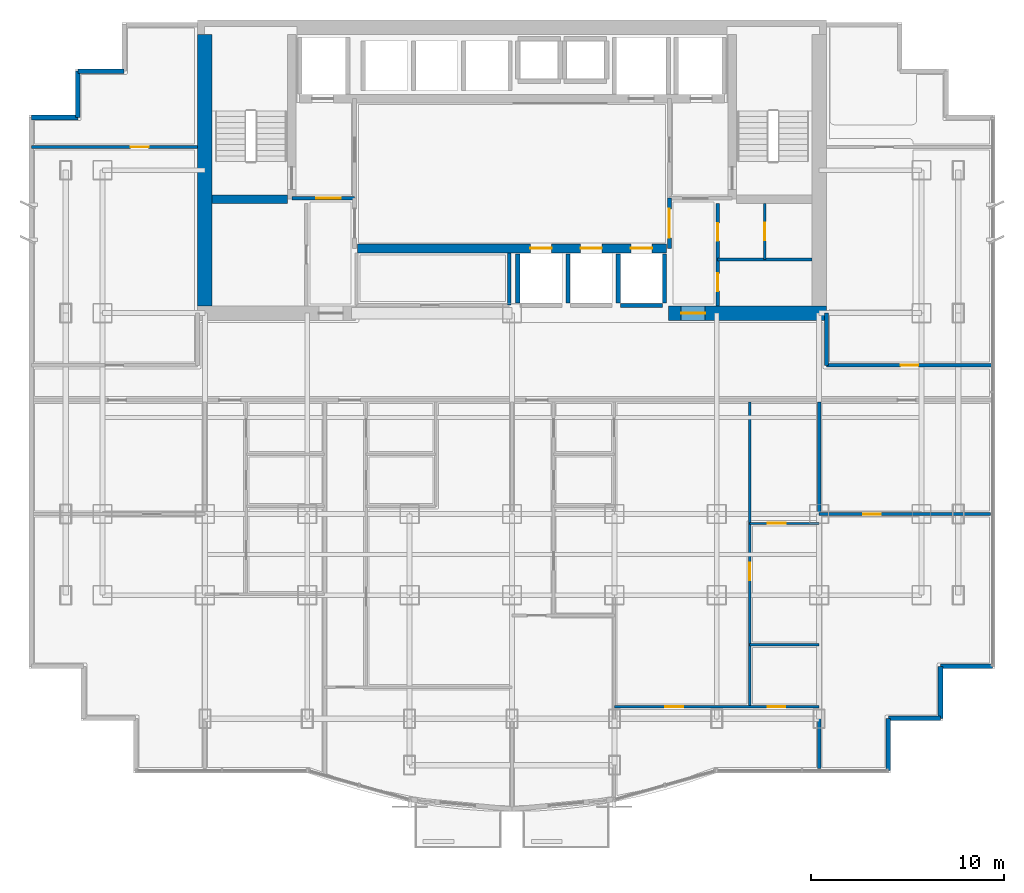
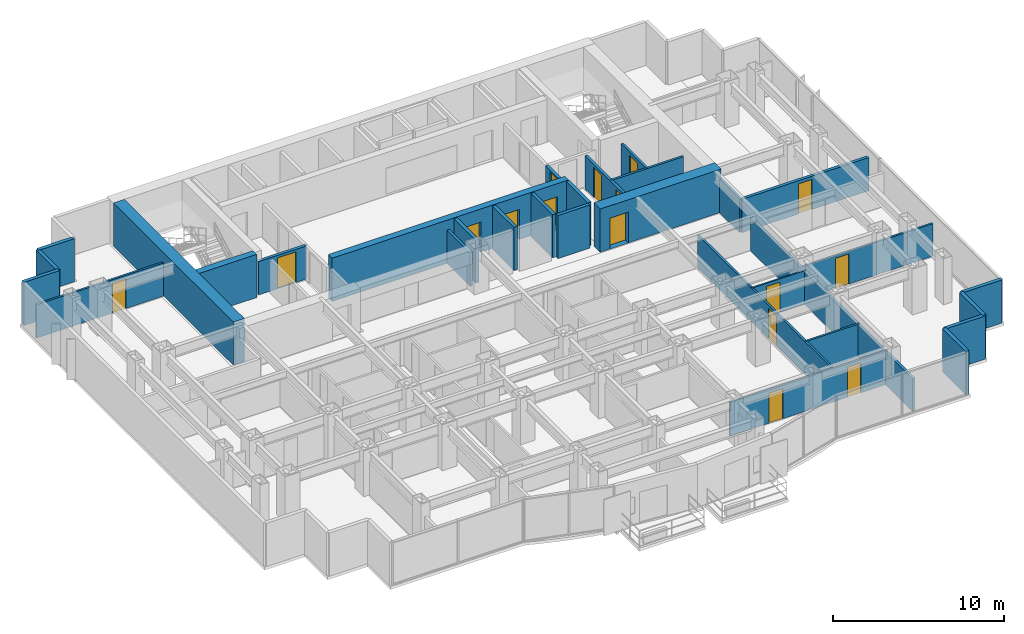
# One storey, part 8 of 12: 31 walls, 16 doors, 16 openings.
"""IFC4 building model written with IfcOpenShell, lengths in metres."""

from ifc_helpers import new_model, si_unit, direction, frame, frame_2d, origin, place, context, subcontext, project, spatial, rectangle, extrude, material, layer, layer_set, type_object, element, fill, save


model = new_model("IFC4")

# Units and contexts
model_context = context("Model", 3, precision=1e-05, world=origin(), true_north=direction((0.0, 1.0)))
body_context = subcontext(model_context, "Body", "Model", "MODEL_VIEW")
ifc_project = project(units=[si_unit("LENGTHUNIT", "METRE"), si_unit("AREAUNIT", "SQUARE_METRE"), si_unit("VOLUMEUNIT", "CUBIC_METRE"), si_unit("PLANEANGLEUNIT", "RADIAN"), si_unit("MASSUNIT", "GRAM", prefix="KILO")], contexts=[model_context])

# Site, building, storey
site_placement = place(None, origin())
site = spatial("IfcSite", under=ifc_project, at=site_placement, CompositionType="ELEMENT")
building_placement = place(site_placement, origin())
building = spatial("IfcBuilding", under=site, at=building_placement, Name="Qianlan Lanfeng Residences", CompositionType="ELEMENT")
storey_placement = place(building_placement, frame((0.0, 0.0, 85.0)))
storey = spatial("IfcBuildingStorey", under=building, at=storey_placement, Name="L22", CompositionType="ELEMENT", Elevation=85.0)

# Wall
ifc_material_1 = material(Name="Concrete C60", Category="concrete")
ifc_layer_1 = layer(ifc_material_1, 0.449951171875)
ifc_layer_set_1 = layer_set([ifc_layer_1], Name="Concrete C60")
wall_type_1 = type_object("IfcWallType", Name="CW-RC-450", PredefinedType="SHEAR", material=ifc_layer_set_1)
wall_1_placement = place(storey_placement, frame((10.97509765625, 31.10009765625, 0.0), z_axis=(0.0, 0.0, 1.0), x_axis=(1.0, 0.0, 0.0)))
element("IfcWall", 1, at=wall_1_placement, inside=storey, type_object=wall_type_1, Name="L22 Core Shear Wall ST1S", PredefinedType="SHEAR", context=body_context, shape_type="SweptSolid", body=[
    extrude(rectangle(XDim=3.89990234375, YDim=0.449951171875, at=frame_2d((1.949951171875, 0.0))), origin(), (0.0, 0.0, 1.0), 3.090087890625),
])

# Wall, openings, doors
wall_2_placement = place(storey_placement, frame((18.5, 28.550048828125, 0.0), z_axis=(0.0, 0.0, 1.0), x_axis=(1.0, 0.0, 0.0)))
wall_2 = element("IfcWall", 2, at=wall_2_placement, inside=storey, type_object=wall_type_1, Name="L22 Core Shear Wall LBS", PredefinedType="SHEAR", context=body_context, shape_type="SweptSolid", body=[
    extrude(rectangle(XDim=16.0, YDim=0.449951171875, at=frame_2d((8.0, 0.0))), origin(), (0.0, 0.0, 1.0), 3.090087890625),
])
opening_1_placement = place(wall_2_placement, frame((8.949951171875, 0.0, 0.0)))
opening_1 = element("IfcOpeningElement", 3, at=opening_1_placement, cuts=wall_2, Name="Opening L22-LD-PL-M1", PredefinedType="OPENING", context=body_context, shape_type="SweptSolid", body=[
    extrude(rectangle(XDim=1.10009765625, YDim=2.14990234375, at=frame_2d((0.550048828125, 1.074951171875))), frame((0.0, 0.23486328125, 0.0), z_axis=(0.0, -1.0, 0.0), x_axis=(1.0, 0.0, 0.0)), (0.0, 0.0, 1.0), 0.469970703125),
])
opening_2_placement = place(wall_2_placement, frame((11.550048828125, 0.0, 0.0)))
opening_2 = element("IfcOpeningElement", 4, at=opening_2_placement, cuts=wall_2, Name="Opening L22-LD-PL-M2", PredefinedType="OPENING", context=body_context, shape_type="SweptSolid", body=[
    extrude(rectangle(XDim=1.10009765625, YDim=2.14990234375, at=frame_2d((0.550048828125, 1.074951171875))), frame((0.0, 0.23486328125, 0.0), z_axis=(0.0, -1.0, 0.0), x_axis=(1.0, 0.0, 0.0)), (0.0, 0.0, 1.0), 0.469970703125),
])
opening_3_placement = place(wall_2_placement, frame((14.14990234375, 0.0, 0.0)))
opening_3 = element("IfcOpeningElement", 5, at=opening_3_placement, cuts=wall_2, Name="Opening L22-LD-PL-M3", PredefinedType="OPENING", context=body_context, shape_type="SweptSolid", body=[
    extrude(rectangle(XDim=1.10009765625, YDim=2.14990234375, at=frame_2d((0.550048828125, 1.074951171875))), frame((0.0, 0.23486328125, 0.0), z_axis=(0.0, -1.0, 0.0), x_axis=(1.0, 0.0, 0.0)), (0.0, 0.0, 1.0), 0.469970703125),
])
ifc_material_2 = material(Name="Brushed Stainless Steel Sliding Lift Door", Category="steel")
door_type_1 = type_object("IfcDoorType", Name="LD-01", OperationType="NOTDEFINED", PredefinedType="DOOR", material=ifc_material_2)
door_1_placement = place(opening_1_placement, origin())
door_1 = element("IfcDoor", 6, at=door_1_placement, inside=storey, type_object=door_type_1, Name="L22 Elevator PL-M1 Sliding Landing Door", OperationType="DOUBLE_DOOR_SLIDING", OverallHeight=2.14990234375, OverallWidth=1.10009765625, PredefinedType="DOOR", context=body_context, shape_type="SweptSolid", body=[
    extrude(rectangle(XDim=1.10009765625, YDim=2.14990234375, at=frame_2d((0.550048828125, 1.074951171875))), frame((0.0, 0.02490234375, 0.0), z_axis=(0.0, -1.0, 0.0), x_axis=(1.0, 0.0, 0.0)), (0.0, 0.0, 1.0), 0.050048828125),
])
fill(opening_1, door_1)
door_2_placement = place(opening_2_placement, origin())
door_2 = element("IfcDoor", 7, at=door_2_placement, inside=storey, type_object=door_type_1, Name="L22 Elevator PL-M2 Sliding Landing Door", OperationType="DOUBLE_DOOR_SLIDING", OverallHeight=2.14990234375, OverallWidth=1.10009765625, PredefinedType="DOOR", context=body_context, shape_type="SweptSolid", body=[
    extrude(rectangle(XDim=1.10009765625, YDim=2.14990234375, at=frame_2d((0.550048828125, 1.074951171875))), frame((0.0, 0.02490234375, 0.0), z_axis=(0.0, -1.0, 0.0), x_axis=(1.0, 0.0, 0.0)), (0.0, 0.0, 1.0), 0.050048828125),
])
fill(opening_2, door_2)
door_3_placement = place(opening_3_placement, origin())
door_3 = element("IfcDoor", 8, at=door_3_placement, inside=storey, type_object=door_type_1, Name="L22 Elevator PL-M3 Sliding Landing Door", OperationType="DOUBLE_DOOR_SLIDING", OverallHeight=2.14990234375, OverallWidth=1.10009765625, PredefinedType="DOOR", context=body_context, shape_type="SweptSolid", body=[
    extrude(rectangle(XDim=1.10009765625, YDim=2.14990234375, at=frame_2d((0.550048828125, 1.074951171875))), frame((0.0, 0.02490234375, 0.0), z_axis=(0.0, -1.0, 0.0), x_axis=(1.0, 0.0, 0.0)), (0.0, 0.0, 1.0), 0.050048828125),
])
fill(opening_3, door_3)

# Wall
ifc_layer_2 = layer(ifc_material_1, 0.75)
ifc_layer_set_2 = layer_set([ifc_layer_2], Name="Concrete C60")
wall_type_2 = type_object("IfcWallType", Name="CW-RC-750", PredefinedType="SHEAR", material=ifc_layer_set_2)
wall_3_placement = place(storey_placement, frame((10.60009765625, 25.574951171875, 0.0), z_axis=(0.0, 0.0, 1.0), x_axis=(0.0, 1.0, 0.0)))
element("IfcWall", 9, at=wall_3_placement, inside=storey, type_object=wall_type_2, Name="L22 Core Shear Wall W", PredefinedType="SHEAR", context=body_context, shape_type="SweptSolid", body=[
    extrude(rectangle(XDim=14.050048828125, YDim=0.75, at=frame_2d((7.02490234375, 0.0))), origin(), (0.0, 0.0, 1.0), 3.090087890625),
])

# Wall, opening, door
wall_4_placement = place(storey_placement, frame((34.60009765625, 25.199951171875, 0.0), z_axis=(0.0, 0.0, 1.0), x_axis=(1.0, 0.0, 0.0)))
wall_4 = element("IfcWall", 10, at=wall_4_placement, inside=storey, type_object=wall_type_2, Name="L22 Core Shear Wall SE", PredefinedType="SHEAR", context=body_context, shape_type="SweptSolid", body=[
    extrude(rectangle(XDim=8.1748046875, YDim=0.75, at=frame_2d((4.08740234375, 0.0))), origin(), (0.0, 0.0, 1.0), 3.090087890625),
])
opening_4_placement = place(wall_4_placement, frame((0.64990234375, 0.0, 0.0)))
opening_4 = element("IfcOpeningElement", 11, at=opening_4_placement, cuts=wall_4, Name="Opening L22-D02", PredefinedType="OPENING", context=body_context, shape_type="SweptSolid", body=[
    extrude(rectangle(XDim=1.25, YDim=2.199951171875, at=frame_2d((0.625, 1.10009765625))), frame((0.0, 0.385009765625, 0.0), z_axis=(0.0, -1.0, 0.0), x_axis=(1.0, 0.0, 0.0)), (0.0, 0.0, 1.0), 0.77001953125),
])
ifc_material_3 = material(Name="Painted Galvanised Steel Fire Door", Category="steel")
door_type_2 = type_object("IfcDoorType", Name="DT-FFL", OperationType="NOTDEFINED", PredefinedType="DOOR", material=ifc_material_3)
door_4_placement = place(opening_4_placement, frame((1.25, 0.0, 0.0), z_axis=(0.0, 0.0, 1.0), x_axis=(-1.0, 0.0, 0.0)))
door_4 = element("IfcDoor", 12, at=door_4_placement, inside=storey, type_object=door_type_2, Name="L22 East Core Lobby Smoke Door L22-D02 (DT-FFL)", OperationType="SINGLE_SWING_LEFT", OverallHeight=2.199951171875, OverallWidth=1.25, PredefinedType="DOOR", context=body_context, shape_type="SweptSolid", body=[
    extrude(rectangle(XDim=1.25, YDim=2.199951171875, at=frame_2d((0.625, 1.10009765625))), frame((0.0, 0.02490234375, 0.0), z_axis=(0.0, -1.0, 0.0), x_axis=(1.0, 0.0, 0.0)), (0.0, 0.0, 1.0), 0.050048828125),
])
fill(opening_4, door_4)

# Walls
ifc_material_4 = material(Name="Concrete C42", Category="concrete")
ifc_layer_3 = layer(ifc_material_4, 0.239990234375)
ifc_layer_set_3 = layer_set([ifc_layer_3], Name="Concrete C42")
wall_type_3 = type_object("IfcWallType", Name="EW-240", PredefinedType="SOLIDWALL", material=ifc_layer_set_3)
for number, where, z_axis, x_axis, name in (
    (13, (45.97998046875, 1.52001953125, 0.0), (0.0, 0.0, 1.0), (0.0, 1.0, 0.0), "L22 Exterior Facade Spandrel Wall 7"),
    (14, (45.97998046875, 4.219970703125, 0.0), (0.0, 0.0, 1.0), (1.0, 0.0, 0.0), "L22 Exterior Facade Spandrel Wall 8"),
    (15, (48.679931640625, 4.219970703125, 0.0), (0.0, 0.0, 1.0), (0.0, 1.0, 0.0), "L22 Exterior Facade Spandrel Wall 9"),
    (16, (48.679931640625, 6.919921875, 0.0), (0.0, 0.0, 1.0), (1.0, 0.0, 0.0), "L22 Exterior Facade Spandrel Wall 10"),
):
    element("IfcWall", number, at=place(storey_placement, frame(where, z_axis=z_axis, x_axis=x_axis)), inside=storey, type_object=wall_type_3, Name=name, PredefinedType="SOLIDWALL", context=body_context, shape_type="SweptSolid", body=[
        extrude(rectangle(XDim=2.699951171875, YDim=0.239990234375, at=frame_2d((1.35009765625, 0.0))), origin(), (0.0, 0.0, 1.0), 3.090087890625),
    ])
for number, where, z_axis, x_axis, name in (
    (17, (6.419921875, 37.72998046875, 0.0), (0.0, 0.0, 1.0), (-1.0, 0.0, 0.0), "L22 Exterior Facade Spandrel Wall 18"),
    (18, (4.02001953125, 37.72998046875, 0.0), (0.0, 0.0, 1.0), (0.0, -1.0, 0.0), "L22 Exterior Facade Spandrel Wall 19"),
    (19, (4.02001953125, 35.330078125, 0.0), (0.0, 0.0, 1.0), (-1.0, 0.0, 0.0), "L22 Exterior Facade Spandrel Wall 20"),
):
    element("IfcWall", number, at=place(storey_placement, frame(where, z_axis=z_axis, x_axis=x_axis)), inside=storey, type_object=wall_type_3, Name=name, PredefinedType="SOLIDWALL", context=body_context, shape_type="SweptSolid", body=[
        extrude(rectangle(XDim=2.39990234375, YDim=0.239990234375, at=frame_2d((1.199951171875, 0.0))), origin(), (0.0, 0.0, 1.0), 3.090087890625),
    ])

# Wall, opening, door
ifc_material_5 = material(Name="Demountable Acoustic Framing Partition 110 mm")
ifc_layer_4 = layer(ifc_material_5, 0.110107421875)
ifc_layer_set_4 = layer_set([ifc_layer_4], Name="Demountable Acoustic Framing Partition 110 mm")
wall_type_4 = type_object("IfcWallType", Name="PW-110", PredefinedType="MOVABLE", material=ifc_layer_set_4)
wall_5_placement = place(storey_placement, frame((38.800048828125, 14.31396484375, 0.0), z_axis=(0.0, 0.0, 1.0), x_axis=(1.0, 0.0, 0.0)))
wall_5 = element("IfcWall", 20, at=wall_5_placement, inside=storey, type_object=wall_type_4, Name="L22 U03 Wardrobe Split", PredefinedType="MOVABLE", context=body_context, shape_type="SweptSolid", body=[
    extrude(rectangle(XDim=3.599853515625, YDim=0.110107421875, at=frame_2d((1.7998046875, 0.0))), origin(), (0.0, 0.0, 1.0), 2.3798828125),
])
opening_5_placement = place(wall_5_placement, frame((0.93994140625, 0.0, 0.0)))
opening_5 = element("IfcOpeningElement", 21, at=opening_5_placement, cuts=wall_5, Name="Opening L22-D35", PredefinedType="OPENING", context=body_context, shape_type="SweptSolid", body=[
    extrude(rectangle(XDim=0.919921875, YDim=2.14990234375, at=frame_2d((0.4599609375, 1.074951171875))), frame((0.0, 0.06494140625, 0.0), z_axis=(0.0, -1.0, 0.0), x_axis=(1.0, 0.0, 0.0)), (0.0, 0.0, 1.0), 0.130126953125),
])
ifc_material_6 = material(Name="Glazed Timber Kitchen/Study Door", Category="wood")
door_type_3 = type_object("IfcDoorType", Name="DT-INT", OperationType="NOTDEFINED", PredefinedType="DOOR", material=ifc_material_6)
door_5_placement = place(opening_5_placement, origin())
door_5 = element("IfcDoor", 22, at=door_5_placement, inside=storey, type_object=door_type_3, Name="L22 U03 Dressing Inner Door L22-D35 (DT-INT)", OperationType="SINGLE_SWING_LEFT", OverallHeight=2.14990234375, OverallWidth=0.919921875, PredefinedType="DOOR", context=body_context, shape_type="SweptSolid", body=[
    extrude(rectangle(XDim=0.919921875, YDim=2.14990234375, at=frame_2d((0.4599609375, 1.074951171875))), frame((0.0, 0.02490234375, 0.0), z_axis=(0.0, -1.0, 0.0), x_axis=(1.0, 0.0, 0.0)), (0.0, 0.0, 1.0), 0.050048828125),
])
fill(opening_5, door_5)

# Wall, openings, doors
ifc_material_7 = material(Name="Moisture-Resistant Gypsum Partition 135 mm")
ifc_layer_5 = layer(ifc_material_7, 0.135009765625)
ifc_layer_set_5 = layer_set([ifc_layer_5], Name="Moisture-Resistant Gypsum Partition 135 mm")
wall_type_5 = type_object("IfcWallType", Name="PW-135", PredefinedType="PARTITIONING", material=ifc_layer_set_5)
wall_6_placement = place(storey_placement, frame((31.800048828125, 4.827880859375, 0.0), z_axis=(0.0, 0.0, 1.0), x_axis=(1.0, 0.0, 0.0)))
wall_6 = element("IfcWall", 23, at=wall_6_placement, inside=storey, type_object=wall_type_5, Name="L22 U03 Master Bedroom North Wall", PredefinedType="PARTITIONING", context=body_context, shape_type="SweptSolid", body=[
    extrude(rectangle(XDim=10.599853515625, YDim=0.135009765625, at=frame_2d((5.2998046875, 0.0))), origin(), (0.0, 0.0, 1.0), 2.3798828125),
])
opening_6_placement = place(wall_6_placement, frame((2.625, 0.0, 0.0)))
opening_6 = element("IfcOpeningElement", 24, at=opening_6_placement, cuts=wall_6, Name="Opening L22-D32", PredefinedType="OPENING", context=body_context, shape_type="SweptSolid", body=[
    extrude(rectangle(XDim=0.949951171875, YDim=2.14990234375, at=frame_2d((0.47509765625, 1.074951171875))), frame((0.0, 0.07763671875, 0.0), z_axis=(0.0, -1.0, 0.0), x_axis=(1.0, 0.0, 0.0)), (0.0, 0.0, 1.0), 0.155029296875),
])
opening_7_placement = place(wall_6_placement, frame((7.949951171875, 0.0, 0.0)))
opening_7 = element("IfcOpeningElement", 25, at=opening_7_placement, cuts=wall_6, Name="Opening L22-D33", PredefinedType="OPENING", context=body_context, shape_type="SweptSolid", body=[
    extrude(rectangle(XDim=0.89990234375, YDim=2.14990234375, at=frame_2d((0.449951171875, 1.074951171875))), frame((0.0, 0.07763671875, 0.0), z_axis=(0.0, -1.0, 0.0), x_axis=(1.0, 0.0, 0.0)), (0.0, 0.0, 1.0), 0.155029296875),
])
ifc_material_8 = material(Name="Painted Solid-Core Timber Leaf", Category="wood")
door_type_4 = type_object("IfcDoorType", Name="DT-BED", OperationType="NOTDEFINED", PredefinedType="DOOR", material=ifc_material_8)
door_6_placement = place(opening_6_placement, origin())
door_6 = element("IfcDoor", 26, at=door_6_placement, inside=storey, type_object=door_type_4, Name="L22 U03 Master Bedroom Door L22-D32 (DT-BED)", OperationType="SINGLE_SWING_RIGHT", OverallHeight=2.14990234375, OverallWidth=0.949951171875, PredefinedType="DOOR", context=body_context, shape_type="SweptSolid", body=[
    extrude(rectangle(XDim=0.949951171875, YDim=2.14990234375, at=frame_2d((0.47509765625, 1.074951171875))), frame((0.0, 0.02490234375, 0.0), z_axis=(0.0, -1.0, 0.0), x_axis=(1.0, 0.0, 0.0)), (0.0, 0.0, 1.0), 0.050048828125),
])
fill(opening_6, door_6)
ifc_material_9 = material(Name="Moisture-Resistant Timber Leaf", Category="wood")
door_type_5 = type_object("IfcDoorType", Name="DT-WC", OperationType="NOTDEFINED", PredefinedType="DOOR", material=ifc_material_9)
door_7_placement = place(opening_7_placement, origin())
door_7 = element("IfcDoor", 27, at=door_7_placement, inside=storey, type_object=door_type_5, Name="L22 U03 En-Suite Bathroom Door L22-D33 (DT-WC)", OperationType="SINGLE_SWING_LEFT", OverallHeight=2.14990234375, OverallWidth=0.89990234375, PredefinedType="DOOR", context=body_context, shape_type="SweptSolid", body=[
    extrude(rectangle(XDim=0.89990234375, YDim=2.14990234375, at=frame_2d((0.449951171875, 1.074951171875))), frame((0.0, 0.02490234375, 0.0), z_axis=(0.0, -1.0, 0.0), x_axis=(1.0, 0.0, 0.0)), (0.0, 0.0, 1.0), 0.050048828125),
])
fill(opening_7, door_7)

# Wall, opening, door
wall_7_placement = place(storey_placement, frame((38.800048828125, 4.827880859375, 0.0), z_axis=(0.0, 0.0, 1.0), x_axis=(0.0, 1.0, 0.0)))
wall_7 = element("IfcWall", 28, at=wall_7_placement, inside=storey, type_object=wall_type_5, Name="L22 U03 Master Passage Wall", PredefinedType="PARTITIONING", context=body_context, shape_type="SweptSolid", body=[
    extrude(rectangle(XDim=15.772216796875, YDim=0.135009765625, at=frame_2d((7.88623046875, 0.0))), origin(), (0.0, 0.0, 1.0), 2.3798828125),
])
opening_8_placement = place(wall_7_placement, frame((6.532958984375, 0.0, 0.0)))
opening_8 = element("IfcOpeningElement", 29, at=opening_8_placement, cuts=wall_7, Name="Opening L22-D34", PredefinedType="OPENING", context=body_context, shape_type="SweptSolid", body=[
    extrude(rectangle(XDim=0.919921875, YDim=2.14990234375, at=frame_2d((0.4599609375, 1.074951171875))), frame((0.0, 0.07763671875, 0.0), z_axis=(0.0, -1.0, 0.0), x_axis=(1.0, 0.0, 0.0)), (0.0, 0.0, 1.0), 0.155029296875),
])
door_8_placement = place(opening_8_placement, origin())
door_8 = element("IfcDoor", 30, at=door_8_placement, inside=storey, type_object=door_type_3, Name="L22 U03 Wardrobe Door L22-D34 (DT-INT)", OperationType="SINGLE_SWING_RIGHT", OverallHeight=2.14990234375, OverallWidth=0.919921875, PredefinedType="DOOR", context=body_context, shape_type="SweptSolid", body=[
    extrude(rectangle(XDim=0.919921875, YDim=2.14990234375, at=frame_2d((0.4599609375, 1.074951171875))), frame((0.0, 0.02490234375, 0.0), z_axis=(0.0, -1.0, 0.0), x_axis=(1.0, 0.0, 0.0)), (0.0, 0.0, 1.0), 0.050048828125),
])
fill(opening_8, door_8)

# Wall
wall_8_placement = place(storey_placement, frame((38.800048828125, 8.028076171875, 0.0), z_axis=(0.0, 0.0, 1.0), x_axis=(1.0, 0.0, 0.0)))
element("IfcWall", 31, at=wall_8_placement, inside=storey, type_object=wall_type_5, Name="L22 U03 En-Suite North Wall", PredefinedType="PARTITIONING", context=body_context, shape_type="SweptSolid", body=[
    extrude(rectangle(XDim=3.599853515625, YDim=0.135009765625, at=frame_2d((1.7998046875, 0.0))), origin(), (0.0, 0.0, 1.0), 2.3798828125),
])

# Wall, opening, door
wall_9_placement = place(storey_placement, frame((42.39990234375, 14.800048828125, 0.0), z_axis=(0.0, 0.0, 1.0), x_axis=(1.0, 0.0, 0.0)))
wall_9 = element("IfcWall", 32, at=wall_9_placement, inside=storey, type_object=wall_type_5, Name="L22 SEP Mid Partition", PredefinedType="PARTITIONING", context=body_context, shape_type="SweptSolid", body=[
    extrude(rectangle(XDim=8.880126953125, YDim=0.135009765625, at=frame_2d((4.43994140625, 0.0))), origin(), (0.0, 0.0, 1.0), 2.3349609375),
])
opening_9_placement = place(wall_9_placement, frame((2.280029296875, 0.0, 0.0)))
opening_9 = element("IfcOpeningElement", 33, at=opening_9_placement, cuts=wall_9, Name="Opening L22-D38", PredefinedType="OPENING", context=body_context, shape_type="SweptSolid", body=[
    extrude(rectangle(XDim=0.919921875, YDim=2.14990234375, at=frame_2d((0.4599609375, 1.074951171875))), frame((0.0, 0.07763671875, 0.0), z_axis=(0.0, -1.0, 0.0), x_axis=(1.0, 0.0, 0.0)), (0.0, 0.0, 1.0), 0.155029296875),
])
door_9_placement = place(opening_9_placement, origin())
door_9 = element("IfcDoor", 34, at=door_9_placement, inside=storey, type_object=door_type_3, Name="L22 SEP Inner Door L22-D38 (DT-INT)", OperationType="SINGLE_SWING_RIGHT", OverallHeight=2.14990234375, OverallWidth=0.919921875, PredefinedType="DOOR", context=body_context, shape_type="SweptSolid", body=[
    extrude(rectangle(XDim=0.919921875, YDim=2.14990234375, at=frame_2d((0.4599609375, 1.074951171875))), frame((0.0, 0.02490234375, 0.0), z_axis=(0.0, -1.0, 0.0), x_axis=(1.0, 0.0, 0.0)), (0.0, 0.0, 1.0), 0.050048828125),
])
fill(opening_9, door_9)

wall_10_placement = place(storey_placement, frame((1.6201171875, 33.800048828125, 0.0), z_axis=(0.0, 0.0, 1.0), x_axis=(1.0, 0.0, 0.0)))
wall_10 = element("IfcWall", 35, at=wall_10_placement, inside=storey, type_object=wall_type_5, Name="L22 WW North Wing Wall", PredefinedType="PARTITIONING", context=body_context, shape_type="SweptSolid", body=[
    extrude(rectangle(XDim=8.60498046875, YDim=0.135009765625, at=frame_2d((4.302490234375, 0.0))), origin(), (0.0, 0.0, 1.0), 2.3798828125),
])
opening_10_placement = place(wall_10_placement, frame((5.14306640625, 0.0, 0.0)))
opening_10 = element("IfcOpeningElement", 36, at=opening_10_placement, cuts=wall_10, Name="Opening L22-D40", PredefinedType="OPENING", context=body_context, shape_type="SweptSolid", body=[
    extrude(rectangle(XDim=0.919921875, YDim=2.14990234375, at=frame_2d((0.4599609375, 1.074951171875))), frame((0.0, 0.07763671875, 0.0), z_axis=(0.0, -1.0, 0.0), x_axis=(1.0, 0.0, 0.0)), (0.0, 0.0, 1.0), 0.155029296875),
])
door_10_placement = place(opening_10_placement, origin())
door_10 = element("IfcDoor", 37, at=door_10_placement, inside=storey, type_object=door_type_3, Name="L22 WW Inner Salon Door L22-D40 (DT-INT)", OperationType="SINGLE_SWING_RIGHT", OverallHeight=2.14990234375, OverallWidth=0.919921875, PredefinedType="DOOR", context=body_context, shape_type="SweptSolid", body=[
    extrude(rectangle(XDim=0.919921875, YDim=2.14990234375, at=frame_2d((0.4599609375, 1.074951171875))), frame((0.0, 0.02490234375, 0.0), z_axis=(0.0, -1.0, 0.0), x_axis=(1.0, 0.0, 0.0)), (0.0, 0.0, 1.0), 0.050048828125),
])
fill(opening_10, door_10)

# Wall
ifc_material_10 = material(Name="Acoustic Drywall Partition 150 mm")
ifc_layer_6 = layer(ifc_material_10, 0.14990234375)
ifc_layer_set_6 = layer_set([ifc_layer_6], Name="Acoustic Drywall Partition 150 mm")
wall_type_6 = type_object("IfcWallType", Name="PW-150", PredefinedType="PARTITIONING", material=ifc_layer_set_6)
wall_11_placement = place(storey_placement, frame((37.14990234375, 27.97509765625, 0.0), z_axis=(0.0, 0.0, 1.0), x_axis=(1.0, 0.0, 0.0)))
element("IfcWall", 38, at=wall_11_placement, inside=storey, type_object=wall_type_6, Name="L22 Core East H Split", PredefinedType="PARTITIONING", context=body_context, shape_type="SweptSolid", body=[
    extrude(rectangle(XDim=4.875, YDim=0.14990234375, at=frame_2d((2.4375, 0.0))), origin(), (0.0, 0.0, 1.0), 2.3798828125),
])

# Wall, opening, door
wall_12_placement = place(storey_placement, frame((39.5869140625, 27.97509765625, 0.0), z_axis=(0.0, 0.0, 1.0), x_axis=(0.0, 1.0, 0.0)))
wall_12 = element("IfcWall", 39, at=wall_12_placement, inside=storey, type_object=wall_type_6, Name="L22 Core East V Split", PredefinedType="PARTITIONING", context=body_context, shape_type="SweptSolid", body=[
    extrude(rectangle(XDim=2.89990234375, YDim=0.14990234375, at=frame_2d((1.449951171875, 0.0))), origin(), (0.0, 0.0, 1.0), 2.3798828125),
])
opening_11_placement = place(wall_12_placement, frame((0.989990234375, 0.0, 0.0)))
opening_11 = element("IfcOpeningElement", 40, at=opening_11_placement, cuts=wall_12, Name="Opening L22-D12", PredefinedType="OPENING", context=body_context, shape_type="SweptSolid", body=[
    extrude(rectangle(XDim=0.919921875, YDim=2.14990234375, at=frame_2d((0.4599609375, 1.074951171875))), frame((0.0, 0.0849609375, 0.0), z_axis=(0.0, -1.0, 0.0), x_axis=(1.0, 0.0, 0.0)), (0.0, 0.0, 1.0), 0.169921875),
])
door_11_placement = place(opening_11_placement, origin())
door_11 = element("IfcDoor", 41, at=door_11_placement, inside=storey, type_object=door_type_3, Name="L22 Inner Supply Closet Door L22-D12 (DT-INT)", OperationType="SINGLE_SWING_RIGHT", OverallHeight=2.14990234375, OverallWidth=0.919921875, PredefinedType="DOOR", context=body_context, shape_type="SweptSolid", body=[
    extrude(rectangle(XDim=0.919921875, YDim=2.14990234375, at=frame_2d((0.4599609375, 1.074951171875))), frame((0.0, 0.02490234375, 0.0), z_axis=(0.0, -1.0, 0.0), x_axis=(1.0, 0.0, 0.0)), (0.0, 0.0, 1.0), 0.050048828125),
])
fill(opening_11, door_11)

# Wall, openings, doors
ifc_material_11 = material(Name="Double-Layer Acoustic Gypsum Stud Wall 180 mm")
ifc_layer_7 = layer(ifc_material_11, 0.179931640625)
ifc_layer_set_7 = layer_set([ifc_layer_7], Name="Double-Layer Acoustic Gypsum Stud Wall 180 mm")
wall_type_7 = type_object("IfcWallType", Name="PW-180", PredefinedType="PARTITIONING", material=ifc_layer_set_7)
wall_13_placement = place(storey_placement, frame((37.14990234375, 25.574951171875, 0.0), z_axis=(0.0, 0.0, 1.0), x_axis=(0.0, 1.0, 0.0)))
wall_13 = element("IfcWall", 42, at=wall_13_placement, inside=storey, type_object=wall_type_7, Name="L22 Core East Service Room Wall", PredefinedType="PARTITIONING", context=body_context, shape_type="SweptSolid", body=[
    extrude(rectangle(XDim=5.300048828125, YDim=0.179931640625, at=frame_2d((2.64990234375, 0.0))), origin(), (0.0, 0.0, 1.0), 2.3798828125),
])
opening_12_placement = place(wall_13_placement, frame((0.764892578125, 0.0, 0.0)))
opening_12 = element("IfcOpeningElement", 43, at=opening_12_placement, cuts=wall_13, Name="Opening L22-D10", PredefinedType="OPENING", context=body_context, shape_type="SweptSolid", body=[
    extrude(rectangle(XDim=0.919921875, YDim=2.14990234375, at=frame_2d((0.4599609375, 1.074951171875))), frame((0.0, 0.10009765625, 0.0), z_axis=(0.0, -1.0, 0.0), x_axis=(1.0, 0.0, 0.0)), (0.0, 0.0, 1.0), 0.199951171875),
])
opening_13_placement = place(wall_13_placement, frame((3.364990234375, 0.0, 0.0)))
opening_13 = element("IfcOpeningElement", 44, at=opening_13_placement, cuts=wall_13, Name="Opening L22-D11", PredefinedType="OPENING", context=body_context, shape_type="SweptSolid", body=[
    extrude(rectangle(XDim=0.919921875, YDim=2.14990234375, at=frame_2d((0.4599609375, 1.074951171875))), frame((0.0, 0.10009765625, 0.0), z_axis=(0.0, -1.0, 0.0), x_axis=(1.0, 0.0, 0.0)), (0.0, 0.0, 1.0), 0.199951171875),
])
door_12_placement = place(opening_12_placement, origin())
door_12 = element("IfcDoor", 45, at=door_12_placement, inside=storey, type_object=door_type_3, Name="L22 Refuse Room Door L22-D10 (DT-INT)", OperationType="SINGLE_SWING_LEFT", OverallHeight=2.14990234375, OverallWidth=0.919921875, PredefinedType="DOOR", context=body_context, shape_type="SweptSolid", body=[
    extrude(rectangle(XDim=0.919921875, YDim=2.14990234375, at=frame_2d((0.4599609375, 1.074951171875))), frame((0.0, 0.02490234375, 0.0), z_axis=(0.0, -1.0, 0.0), x_axis=(1.0, 0.0, 0.0)), (0.0, 0.0, 1.0), 0.050048828125),
])
fill(opening_12, door_12)
door_13_placement = place(opening_13_placement, origin())
door_13 = element("IfcDoor", 46, at=door_13_placement, inside=storey, type_object=door_type_3, Name="L22 Janitor Outer Door L22-D11 (DT-INT)", OperationType="SINGLE_SWING_LEFT", OverallHeight=2.14990234375, OverallWidth=0.919921875, PredefinedType="DOOR", context=body_context, shape_type="SweptSolid", body=[
    extrude(rectangle(XDim=0.919921875, YDim=2.14990234375, at=frame_2d((0.4599609375, 1.074951171875))), frame((0.0, 0.02490234375, 0.0), z_axis=(0.0, -1.0, 0.0), x_axis=(1.0, 0.0, 0.0)), (0.0, 0.0, 1.0), 0.050048828125),
])
fill(opening_13, door_13)

# Walls
wall_14_placement = place(storey_placement, frame((26.35009765625, 25.6201171875, 0.0), z_axis=(0.0, 0.0, 1.0), x_axis=(0.0, 1.0, 0.0)))
element("IfcWall", 47, at=wall_14_placement, inside=storey, type_object=wall_type_7, Name="L22 Reclaimed Low-Bank Room East Wall", PredefinedType="PARTITIONING", context=body_context, shape_type="SweptSolid", body=[
    extrude(rectangle(XDim=2.704833984375, YDim=0.179931640625, at=frame_2d((1.3525390625, 0.0))), origin(), (0.0, 0.0, 1.0), 2.3798828125),
])
wall_15_placement = place(storey_placement, frame((42.39990234375, 1.6201171875, 0.0), z_axis=(0.0, 0.0, 1.0), x_axis=(0.0, 1.0, 0.0)))
element("IfcWall", 48, at=wall_15_placement, inside=storey, type_object=wall_type_7, Name="L22 Wing Boundary Party Wall E0", PredefinedType="PARTITIONING", context=body_context, shape_type="SweptSolid", body=[
    extrude(rectangle(XDim=18.97998046875, YDim=0.179931640625, at=frame_2d((9.489990234375, 0.0))), origin(), (0.0, 0.0, 1.0), 2.3349609375),
])

# Wall, opening, door
ifc_material_12 = material(Name="Autoclaved Aerated Concrete Blockwork 200 mm", Category="masonry")
ifc_layer_8 = layer(ifc_material_12, 0.199951171875)
ifc_layer_set_8 = layer_set([ifc_layer_8], Name="Autoclaved Aerated Concrete Blockwork 200 mm")
wall_type_8 = type_object("IfcWallType", Name="PW-200", PredefinedType="PARTITIONING", material=ifc_layer_set_8)
wall_16_placement = place(storey_placement, frame((15.10009765625, 31.14990234375, 0.0), z_axis=(0.0, 0.0, 1.0), x_axis=(1.0, 0.0, 0.0)))
wall_16 = element("IfcWall", 49, at=wall_16_placement, inside=storey, type_object=wall_type_8, Name="L22 Firefighting Lobby 1 South Wall", PredefinedType="PARTITIONING", context=body_context, shape_type="SweptSolid", body=[
    extrude(rectangle(XDim=3.25, YDim=0.199951171875, at=frame_2d((1.625, 0.0))), origin(), (0.0, 0.0, 1.0), 2.3798828125),
])
opening_14_placement = place(wall_16_placement, frame((1.27490234375, 0.0, 0.0)))
opening_14 = element("IfcOpeningElement", 50, at=opening_14_placement, cuts=wall_16, Name="Opening L22-D03", PredefinedType="OPENING", context=body_context, shape_type="SweptSolid", body=[
    extrude(rectangle(XDim=1.25, YDim=2.199951171875, at=frame_2d((0.625, 1.10009765625))), frame((0.0, 0.10986328125, 0.0), z_axis=(0.0, -1.0, 0.0), x_axis=(1.0, 0.0, 0.0)), (0.0, 0.0, 1.0), 0.219970703125),
])
door_14_placement = place(opening_14_placement, origin())
door_14 = element("IfcDoor", 51, at=door_14_placement, inside=storey, type_object=door_type_2, Name="L22 Firefighting Lobby 1 Entry Door L22-D03 (DT-FFL)", OperationType="SINGLE_SWING_LEFT", OverallHeight=2.199951171875, OverallWidth=1.25, PredefinedType="DOOR", context=body_context, shape_type="SweptSolid", body=[
    extrude(rectangle(XDim=1.25, YDim=2.199951171875, at=frame_2d((0.625, 1.10009765625))), frame((0.0, 0.02490234375, 0.0), z_axis=(0.0, -1.0, 0.0), x_axis=(1.0, 0.0, 0.0)), (0.0, 0.0, 1.0), 0.050048828125),
])
fill(opening_14, door_14)

wall_17_placement = place(storey_placement, frame((34.64990234375, 28.550048828125, 0.0), z_axis=(0.0, 0.0, 1.0), x_axis=(0.0, 1.0, 0.0)))
wall_17 = element("IfcWall", 52, at=wall_17_placement, inside=storey, type_object=wall_type_8, Name="L22 Lift Lobby East Connector Wall", PredefinedType="PARTITIONING", context=body_context, shape_type="SweptSolid", body=[
    extrude(rectangle(XDim=2.599853515625, YDim=0.199951171875, at=frame_2d((1.2998046875, 0.0))), origin(), (0.0, 0.0, 1.0), 2.3798828125),
])
opening_15_placement = place(wall_17_placement, frame((0.550048828125, 0.0, 0.0)))
opening_15 = element("IfcOpeningElement", 53, at=opening_15_placement, cuts=wall_17, Name="Opening L22-D14", PredefinedType="OPENING", context=body_context, shape_type="SweptSolid", body=[
    extrude(rectangle(XDim=1.5, YDim=2.25, at=frame_2d((0.75, 1.125))), frame((0.0, 0.10986328125, 0.0), z_axis=(0.0, -1.0, 0.0), x_axis=(1.0, 0.0, 0.0)), (0.0, 0.0, 1.0), 0.219970703125),
])
ifc_material_13 = material(Name="Timber Veneer Acoustic Fire Door", Category="wood")
door_type_6 = type_object("IfcDoorType", Name="DT-COR1", OperationType="NOTDEFINED", PredefinedType="DOOR", material=ifc_material_13)
door_15_placement = place(opening_15_placement, frame((1.5, 0.0, 0.0), z_axis=(0.0, 0.0, 1.0), x_axis=(-1.0, 0.0, 0.0)))
door_15 = element("IfcDoor", 54, at=door_15_placement, inside=storey, type_object=door_type_6, Name="L22 Lift Lobby East Portal Door L22-D14 (DT-COR1)", OperationType="DOUBLE_DOOR_SINGLE_SWING", OverallHeight=2.25, OverallWidth=1.5, PredefinedType="DOOR", context=body_context, shape_type="SweptSolid", body=[
    extrude(rectangle(XDim=1.5, YDim=2.25, at=frame_2d((0.75, 1.125))), frame((0.0, 0.02490234375, 0.0), z_axis=(0.0, -1.0, 0.0), x_axis=(1.0, 0.0, 0.0)), (0.0, 0.0, 1.0), 0.050048828125),
])
fill(opening_15, door_15)

wall_18_placement = place(storey_placement, frame((42.77490234375, 22.5, 0.0), z_axis=(0.0, 0.0, 1.0), x_axis=(1.0, 0.0, 0.0)))
wall_18 = element("IfcWall", 55, at=wall_18_placement, inside=storey, type_object=wall_type_8, Name="L22 Corridor NE Wall", PredefinedType="PARTITIONING", context=body_context, shape_type="SweptSolid", body=[
    extrude(rectangle(XDim=8.60498046875, YDim=0.199951171875, at=frame_2d((4.302490234375, 0.0))), origin(), (0.0, 0.0, 1.0), 2.3798828125),
])
opening_16_placement = place(wall_18_placement, frame((3.842041015625, 0.0, 0.0)))
opening_16 = element("IfcOpeningElement", 56, at=opening_16_placement, cuts=wall_18, Name="Opening L22-D43", PredefinedType="OPENING", context=body_context, shape_type="SweptSolid", body=[
    extrude(rectangle(XDim=0.919921875, YDim=2.14990234375, at=frame_2d((0.4599609375, 1.074951171875))), frame((0.0, 0.10986328125, 0.0), z_axis=(0.0, -1.0, 0.0), x_axis=(1.0, 0.0, 0.0)), (0.0, 0.0, 1.0), 0.219970703125),
])
door_16_placement = place(opening_16_placement, origin())
door_16 = element("IfcDoor", 57, at=door_16_placement, inside=storey, type_object=door_type_3, Name="L22 EW Amenity Salon Door L22-D43 (DT-INT)", OperationType="SINGLE_SWING_LEFT", OverallHeight=2.14990234375, OverallWidth=0.919921875, PredefinedType="DOOR", context=body_context, shape_type="SweptSolid", body=[
    extrude(rectangle(XDim=0.919921875, YDim=2.14990234375, at=frame_2d((0.4599609375, 1.074951171875))), frame((0.0, 0.02490234375, 0.0), z_axis=(0.0, -1.0, 0.0), x_axis=(1.0, 0.0, 0.0)), (0.0, 0.0, 1.0), 0.050048828125),
])
fill(opening_16, door_16)

# Walls
wall_19_placement = place(storey_placement, frame((42.77490234375, 22.5, 0.0), z_axis=(0.0, 0.0, 1.0), x_axis=(0.0, 1.0, 0.0)))
element("IfcWall", 58, at=wall_19_placement, inside=storey, type_object=wall_type_8, Name="L22 NE Wing Core Return Wall", PredefinedType="PARTITIONING", context=body_context, shape_type="SweptSolid", body=[
    extrude(rectangle(XDim=2.699951171875, YDim=0.199951171875, at=frame_2d((1.35009765625, 0.0))), origin(), (0.0, 0.0, 1.0), 2.3798828125),
])
ifc_material_14 = material(Name="Concrete C49", Category="concrete")
ifc_layer_9 = layer(ifc_material_14, 0.219970703125)
ifc_layer_set_9 = layer_set([ifc_layer_9], Name="Concrete C49")
wall_type_9 = type_object("IfcWallType", Name="SHW-220", PredefinedType="SOLIDWALL", material=ifc_layer_set_9)
for number, where, z_axis, x_axis, name in (
    (59, (26.800048828125, 25.719970703125, 0.0), (0.0, 0.0, 1.0), (0.0, 1.0, 0.0), "L22 Lift PL-M1 Shaft Wall W"),
    (60, (29.39990234375, 25.719970703125, 0.0), (0.0, 0.0, 1.0), (0.0, 1.0, 0.0), "L22 Lift PL-M2 Shaft Wall W"),
    (61, (32.0, 25.719970703125, 0.0), (0.0, 0.0, 1.0), (0.0, 1.0, 0.0), "L22 Lift PL-M3 Shaft Wall W"),
    (62, (34.39990234375, 25.719970703125, 0.0), (0.0, 0.0, 1.0), (0.0, 1.0, 0.0), "L22 Lift PL-M3 Shaft Wall E"),
):
    element("IfcWall", number, at=place(storey_placement, frame(where, z_axis=z_axis, x_axis=x_axis)), inside=storey, type_object=wall_type_9, Name=name, PredefinedType="SOLIDWALL", context=body_context, shape_type="SweptSolid", body=[
        extrude(rectangle(XDim=2.530029296875, YDim=0.219970703125, at=frame_2d((1.26513671875, 0.0))), origin(), (0.0, 0.0, 1.0), 3.090087890625),
    ])
wall_20_placement = place(storey_placement, frame((32.1201171875, 25.60009765625, 0.0), z_axis=(0.0, 0.0, 1.0), x_axis=(1.0, 0.0, 0.0)))
element("IfcWall", 63, at=wall_20_placement, inside=storey, type_object=wall_type_9, Name="L22 Lift PL-M3 Shaft Back Wall S", PredefinedType="SOLIDWALL", context=body_context, shape_type="SweptSolid", body=[
    extrude(rectangle(XDim=2.159912109375, YDim=0.219970703125, at=frame_2d((1.080078125, 0.0))), origin(), (0.0, 0.0, 1.0), 3.090087890625),
])

save(model, "model.ifc")
